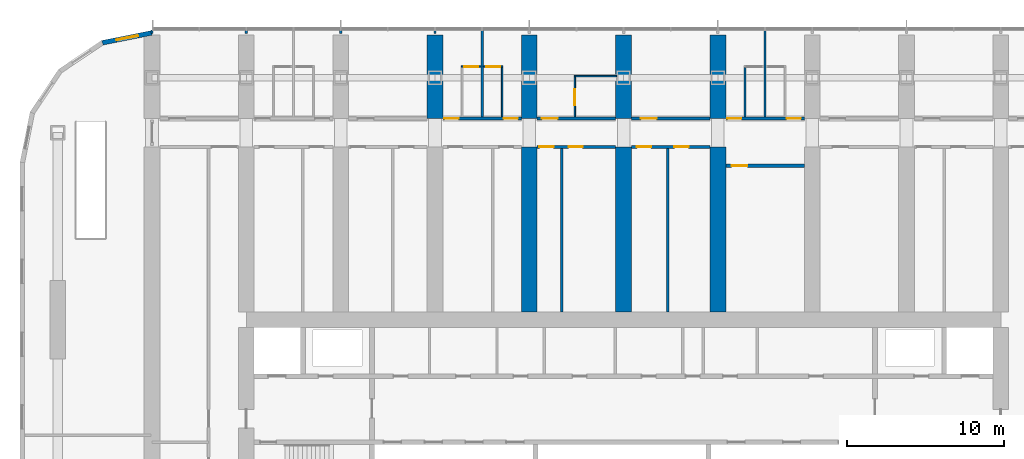
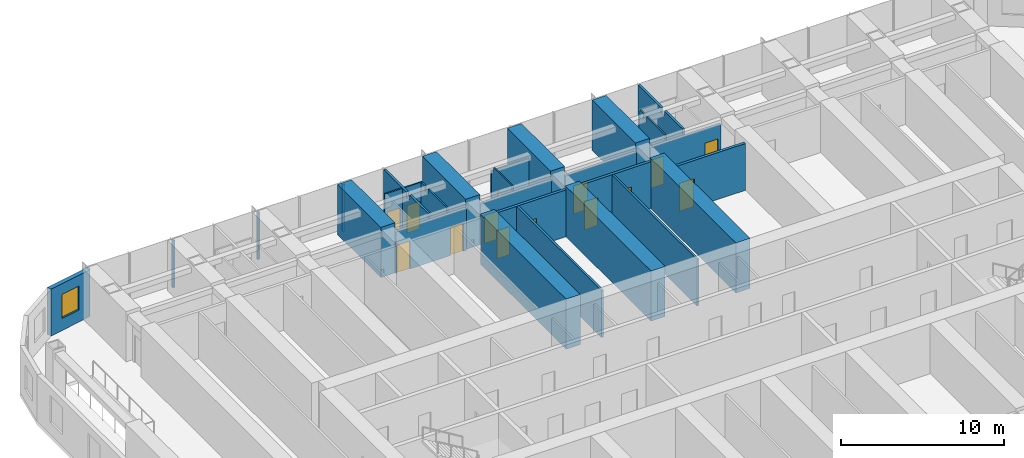
# One storey, part 15 of 22: 29 walls, 14 doors, 1 window, 15 openings.
"""IFC4 building model written with IfcOpenShell, lengths in metres."""

from ifc_helpers import new_model, si_unit, direction, frame, frame_2d, origin, place, context, subcontext, project, spatial, polyline, rectangle, outline, extrude, material, layer, layer_set, type_object, element, fill, save


model = new_model("IFC4")

# Units and contexts
model_context = context("Model", 3, precision=1e-05, world=origin(), true_north=direction((0.0, 1.0)))
body_context = subcontext(model_context, "Body", "Model", "MODEL_VIEW")
ifc_project = project(units=[si_unit("LENGTHUNIT", "METRE"), si_unit("AREAUNIT", "SQUARE_METRE"), si_unit("VOLUMEUNIT", "CUBIC_METRE"), si_unit("PLANEANGLEUNIT", "RADIAN"), si_unit("MASSUNIT", "GRAM", prefix="KILO")], contexts=[model_context])

# Site, building, storey
site_placement = place(None, origin())
site = spatial("IfcSite", under=ifc_project, at=site_placement, CompositionType="ELEMENT")
building_placement = place(site_placement, origin())
building = spatial("IfcBuilding", under=site, at=building_placement, Name="Orbita Commons", CompositionType="ELEMENT")
storey_placement = place(building_placement, frame((0.0, 0.0, 57.699951171875)))
storey = spatial("IfcBuildingStorey", under=building, at=storey_placement, Name="L14", CompositionType="ELEMENT", Elevation=57.699951171875)

# Wall, openings, doors
ifc_material_1 = material(Name="Concrete blockwork", Category="masonry")
ifc_layer_1 = layer(ifc_material_1, 0.199951171875)
ifc_layer_set_1 = layer_set([ifc_layer_1], Name="Concrete blockwork")
wall_type_1 = type_object("IfcWallType", Name="Corridor wall 200 blockwork", PredefinedType="SOLIDWALL", material=ifc_layer_set_1)
wall_1_placement = place(storey_placement, frame((30.5, 51.0, 0.0), z_axis=(0.0, 0.0, 1.0), x_axis=(1.0, 0.0, 0.0)))
wall_1 = element("IfcWall", 1, at=wall_1_placement, inside=storey, type_object=wall_type_1, Name="Corridor wall 200 blockwork L14", PredefinedType="SOLIDWALL", context=body_context, shape_type="SweptSolid", body=[
    extrude(outline(polyline([(0.0, 0.0), (5.0, 0.0), (5.0, 3.10009765625), (0.0, 3.10009765625), (0.0, 0.0)])), frame((0.0, 0.10009765625, 0.0), z_axis=(0.0, -1.0, 0.0), x_axis=(1.0, 0.0, 0.0)), (0.0, 0.0, 1.0), 0.199951171875),
])
opening_1_placement = place(wall_1_placement, frame((0.10009765625, 0.0, 0.0)))
opening_1 = element("IfcOpeningElement", 2, at=opening_1_placement, cuts=wall_1, Name="Opening D11", PredefinedType="OPENING", context=body_context, shape_type="SweptSolid", body=[
    extrude(rectangle(XDim=0.89990234375, YDim=2.10009765625, at=frame_2d((0.449951171875, 1.050048828125))), frame((0.0, 0.10986328125, 0.0), z_axis=(0.0, -1.0, 0.0), x_axis=(1.0, 0.0, 0.0)), (0.0, 0.0, 1.0), 0.219970703125),
])
opening_2_placement = place(wall_1_placement, frame((3.875, 0.0, 0.0)))
opening_2 = element("IfcOpeningElement", 3, at=opening_2_placement, cuts=wall_1, Name="Opening D11", PredefinedType="OPENING", context=body_context, shape_type="SweptSolid", body=[
    extrude(rectangle(XDim=0.89990234375, YDim=2.10009765625, at=frame_2d((0.449951171875, 1.050048828125))), frame((0.0, 0.10986328125, 0.0), z_axis=(0.0, -1.0, 0.0), x_axis=(1.0, 0.0, 0.0)), (0.0, 0.0, 1.0), 0.219970703125),
])
ifc_material_2 = material(Name="Steel-faced fire door leaf", Category="steel")
door_type_1 = type_object("IfcDoorType", Name="Corridor door 20 min 900x2100", OperationType="SINGLE_SWING_LEFT", PredefinedType="DOOR", material=ifc_material_2)
door_1_placement = place(opening_1_placement, origin())
door_1 = element("IfcDoor", 4, at=door_1_placement, inside=storey, type_object=door_type_1, Name="House bedroom L14-N06 door", OperationType="SINGLE_SWING_LEFT", OverallHeight=2.10009765625, OverallWidth=0.89990234375, PredefinedType="DOOR", context=body_context, shape_type="SweptSolid", body=[
    extrude(rectangle(XDim=0.89990234375, YDim=2.10009765625, at=frame_2d((0.449951171875, 1.050048828125))), frame((0.0, 0.02490234375, 0.0), z_axis=(0.0, -1.0, 0.0), x_axis=(1.0, 0.0, 0.0)), (0.0, 0.0, 1.0), 0.050048828125),
])
fill(opening_1, door_1)
door_2_placement = place(opening_2_placement, origin())
door_2 = element("IfcDoor", 5, at=door_2_placement, inside=storey, type_object=door_type_1, Name="House bedroom L14-N07 door", OperationType="SINGLE_SWING_LEFT", OverallHeight=2.10009765625, OverallWidth=0.89990234375, PredefinedType="DOOR", context=body_context, shape_type="SweptSolid", body=[
    extrude(rectangle(XDim=0.89990234375, YDim=2.10009765625, at=frame_2d((0.449951171875, 1.050048828125))), frame((0.0, 0.02490234375, 0.0), z_axis=(0.0, -1.0, 0.0), x_axis=(1.0, 0.0, 0.0)), (0.0, 0.0, 1.0), 0.050048828125),
])
fill(opening_2, door_2)

# Wall, opening, door
wall_2_placement = place(storey_placement, frame((36.5, 51.0, 0.0), z_axis=(0.0, 0.0, 1.0), x_axis=(1.0, 0.0, 0.0)))
wall_2 = element("IfcWall", 6, at=wall_2_placement, inside=storey, type_object=wall_type_1, Name="Corridor wall 200 blockwork L14", PredefinedType="SOLIDWALL", context=body_context, shape_type="SweptSolid", body=[
    extrude(outline(polyline([(0.0, 0.0), (5.0, 0.0), (5.0, 3.10009765625), (0.0, 3.10009765625), (0.0, 0.0)])), frame((0.0, 0.10009765625, 0.0), z_axis=(0.0, -1.0, 0.0), x_axis=(1.0, 0.0, 0.0)), (0.0, 0.0, 1.0), 0.199951171875),
])
opening_3_placement = place(wall_2_placement, frame((0.300048828125, 0.0, 0.0)))
opening_3 = element("IfcOpeningElement", 7, at=opening_3_placement, cuts=wall_2, Name="Opening D06", PredefinedType="OPENING", context=body_context, shape_type="SweptSolid", body=[
    extrude(rectangle(XDim=1.0, YDim=2.10009765625, at=frame_2d((0.5, 1.050048828125))), frame((0.0, 0.10986328125, 0.0), z_axis=(0.0, -1.0, 0.0), x_axis=(1.0, 0.0, 0.0)), (0.0, 0.0, 1.0), 0.219970703125),
])
ifc_material_3 = material(Name="Steel-faced fire door leaf", Category="steel")
door_type_2 = type_object("IfcDoorType", Name="Corridor door 20 min 1000x2100", OperationType="SINGLE_SWING_LEFT", PredefinedType="DOOR", material=ifc_material_3)
door_3_placement = place(opening_3_placement, origin())
door_3 = element("IfcDoor", 8, at=door_3_placement, inside=storey, type_object=door_type_2, Name="Accessible bedroom L14-N08 door", OperationType="SINGLE_SWING_LEFT", OverallHeight=2.10009765625, OverallWidth=1.0, PredefinedType="DOOR", context=body_context, shape_type="SweptSolid", body=[
    extrude(rectangle(XDim=1.0, YDim=2.10009765625, at=frame_2d((0.5, 1.050048828125))), frame((0.0, 0.02490234375, 0.0), z_axis=(0.0, -1.0, 0.0), x_axis=(1.0, 0.0, 0.0)), (0.0, 0.0, 1.0), 0.050048828125),
])
fill(opening_3, door_3)

wall_3_placement = place(storey_placement, frame((42.5, 51.0, 0.0), z_axis=(0.0, 0.0, 1.0), x_axis=(1.0, 0.0, 0.0)))
wall_3 = element("IfcWall", 9, at=wall_3_placement, inside=storey, type_object=wall_type_1, Name="Corridor wall 200 blockwork L14", PredefinedType="SOLIDWALL", context=body_context, shape_type="SweptSolid", body=[
    extrude(outline(polyline([(0.0, 0.0), (5.0, 0.0), (5.0, 3.10009765625), (0.0, 3.10009765625), (0.0, 0.0)])), frame((0.0, 0.10009765625, 0.0), z_axis=(0.0, -1.0, 0.0), x_axis=(1.0, 0.0, 0.0)), (0.0, 0.0, 1.0), 0.199951171875),
])
opening_4_placement = place(wall_3_placement, frame((0.60009765625, 0.0, 0.0)))
opening_4 = element("IfcOpeningElement", 10, at=opening_4_placement, cuts=wall_3, Name="Opening D06", PredefinedType="OPENING", context=body_context, shape_type="SweptSolid", body=[
    extrude(rectangle(XDim=1.0, YDim=2.10009765625, at=frame_2d((0.5, 1.050048828125))), frame((0.0, 0.10986328125, 0.0), z_axis=(0.0, -1.0, 0.0), x_axis=(1.0, 0.0, 0.0)), (0.0, 0.0, 1.0), 0.219970703125),
])
door_4_placement = place(opening_4_placement, origin())
door_4 = element("IfcDoor", 11, at=door_4_placement, inside=storey, type_object=door_type_2, Name="House common room L14-N10 door", OperationType="SINGLE_SWING_LEFT", OverallHeight=2.10009765625, OverallWidth=1.0, PredefinedType="DOOR", context=body_context, shape_type="SweptSolid", body=[
    extrude(rectangle(XDim=1.0, YDim=2.10009765625, at=frame_2d((0.5, 1.050048828125))), frame((0.0, 0.02490234375, 0.0), z_axis=(0.0, -1.0, 0.0), x_axis=(1.0, 0.0, 0.0)), (0.0, 0.0, 1.0), 0.050048828125),
])
fill(opening_4, door_4)

# Wall, openings, doors
wall_4_placement = place(storey_placement, frame((48.5, 51.0, 0.0), z_axis=(0.0, 0.0, 1.0), x_axis=(1.0, 0.0, 0.0)))
wall_4 = element("IfcWall", 12, at=wall_4_placement, inside=storey, type_object=wall_type_1, Name="Corridor wall 200 blockwork L14", PredefinedType="SOLIDWALL", context=body_context, shape_type="SweptSolid", body=[
    extrude(outline(polyline([(0.0, 0.0), (5.0, 0.0), (5.0, 3.10009765625), (0.0, 3.10009765625), (0.0, 0.0)])), frame((0.0, 0.10009765625, 0.0), z_axis=(0.0, -1.0, 0.0), x_axis=(1.0, 0.0, 0.0)), (0.0, 0.0, 1.0), 0.199951171875),
])
opening_5_placement = place(wall_4_placement, frame((0.10009765625, 0.0, 0.0)))
opening_5 = element("IfcOpeningElement", 13, at=opening_5_placement, cuts=wall_4, Name="Opening D11", PredefinedType="OPENING", context=body_context, shape_type="SweptSolid", body=[
    extrude(rectangle(XDim=0.89990234375, YDim=2.10009765625, at=frame_2d((0.449951171875, 1.050048828125))), frame((0.0, 0.10986328125, 0.0), z_axis=(0.0, -1.0, 0.0), x_axis=(1.0, 0.0, 0.0)), (0.0, 0.0, 1.0), 0.219970703125),
])
opening_6_placement = place(wall_4_placement, frame((3.875, 0.0, 0.0)))
opening_6 = element("IfcOpeningElement", 14, at=opening_6_placement, cuts=wall_4, Name="Opening D11", PredefinedType="OPENING", context=body_context, shape_type="SweptSolid", body=[
    extrude(rectangle(XDim=0.89990234375, YDim=2.10009765625, at=frame_2d((0.449951171875, 1.050048828125))), frame((0.0, 0.10986328125, 0.0), z_axis=(0.0, -1.0, 0.0), x_axis=(1.0, 0.0, 0.0)), (0.0, 0.0, 1.0), 0.219970703125),
])
door_5_placement = place(opening_5_placement, origin())
door_5 = element("IfcDoor", 15, at=door_5_placement, inside=storey, type_object=door_type_1, Name="House bedroom L14-N12 door", OperationType="SINGLE_SWING_LEFT", OverallHeight=2.10009765625, OverallWidth=0.89990234375, PredefinedType="DOOR", context=body_context, shape_type="SweptSolid", body=[
    extrude(rectangle(XDim=0.89990234375, YDim=2.10009765625, at=frame_2d((0.449951171875, 1.050048828125))), frame((0.0, 0.02490234375, 0.0), z_axis=(0.0, -1.0, 0.0), x_axis=(1.0, 0.0, 0.0)), (0.0, 0.0, 1.0), 0.050048828125),
])
fill(opening_5, door_5)
door_6_placement = place(opening_6_placement, origin())
door_6 = element("IfcDoor", 16, at=door_6_placement, inside=storey, type_object=door_type_1, Name="House bedroom L14-N13 door", OperationType="SINGLE_SWING_LEFT", OverallHeight=2.10009765625, OverallWidth=0.89990234375, PredefinedType="DOOR", context=body_context, shape_type="SweptSolid", body=[
    extrude(rectangle(XDim=0.89990234375, YDim=2.10009765625, at=frame_2d((0.449951171875, 1.050048828125))), frame((0.0, 0.02490234375, 0.0), z_axis=(0.0, -1.0, 0.0), x_axis=(1.0, 0.0, 0.0)), (0.0, 0.0, 1.0), 0.050048828125),
])
fill(opening_6, door_6)

ifc_material_4 = material(Name="Hollow concrete block 200", Category="concrete")
ifc_layer_2 = layer(ifc_material_4, 0.199951171875)
ifc_layer_set_2 = layer_set([ifc_layer_2], Name="Hollow concrete block 200")
wall_type_2 = type_object("IfcWallType", Name="Corridor wall 200 hollow concrete block", PredefinedType="SOLIDWALL", material=ifc_layer_set_2)
wall_5_placement = place(storey_placement, frame((36.5, 49.199951171875, 0.0), z_axis=(0.0, 0.0, 1.0), x_axis=(1.0, 0.0, 0.0)))
wall_5 = element("IfcWall", 17, at=wall_5_placement, inside=storey, type_object=wall_type_2, Name="Corridor wall 200 hollow concrete block L14", PredefinedType="SOLIDWALL", context=body_context, shape_type="SweptSolid", body=[
    extrude(rectangle(XDim=5.0, YDim=0.199951171875, at=frame_2d((2.5, 0.0))), origin(), (0.0, 0.0, 1.0), 3.5),
])
opening_7_placement = place(wall_5_placement, frame((0.14990234375, 0.0, 0.0)))
opening_7 = element("IfcOpeningElement", 18, at=opening_7_placement, cuts=wall_5, Name="Opening D11", PredefinedType="OPENING", context=body_context, shape_type="SweptSolid", body=[
    extrude(rectangle(XDim=0.89990234375, YDim=2.10009765625, at=frame_2d((0.449951171875, 1.050048828125))), frame((0.0, 0.10986328125, 0.0), z_axis=(0.0, -1.0, 0.0), x_axis=(1.0, 0.0, 0.0)), (0.0, 0.0, 1.0), 0.219970703125),
])
opening_8_placement = place(wall_5_placement, frame((2.0, 0.0, 0.0)))
opening_8 = element("IfcOpeningElement", 19, at=opening_8_placement, cuts=wall_5, Name="Opening D11", PredefinedType="OPENING", context=body_context, shape_type="SweptSolid", body=[
    extrude(rectangle(XDim=0.89990234375, YDim=2.10009765625, at=frame_2d((0.449951171875, 1.050048828125))), frame((0.0, 0.10986328125, 0.0), z_axis=(0.0, -1.0, 0.0), x_axis=(1.0, 0.0, 0.0)), (0.0, 0.0, 1.0), 0.219970703125),
])
door_7_placement = place(opening_7_placement, origin())
door_7 = element("IfcDoor", 20, at=door_7_placement, inside=storey, type_object=door_type_1, Name="Sprinkler valve room L14-BDN36n door", OperationType="SINGLE_SWING_LEFT", OverallHeight=2.10009765625, OverallWidth=0.89990234375, PredefinedType="DOOR", context=body_context, shape_type="SweptSolid", body=[
    extrude(rectangle(XDim=0.89990234375, YDim=2.10009765625, at=frame_2d((0.449951171875, 1.050048828125))), frame((0.0, 0.02490234375, 0.0), z_axis=(0.0, -1.0, 0.0), x_axis=(1.0, 0.0, 0.0)), (0.0, 0.0, 1.0), 0.050048828125),
])
fill(opening_7, door_7)
door_8_placement = place(opening_8_placement, origin())
door_8 = element("IfcDoor", 21, at=door_8_placement, inside=storey, type_object=door_type_1, Name="Drying room L14-BDN36 door", OperationType="SINGLE_SWING_LEFT", OverallHeight=2.10009765625, OverallWidth=0.89990234375, PredefinedType="DOOR", context=body_context, shape_type="SweptSolid", body=[
    extrude(rectangle(XDim=0.89990234375, YDim=2.10009765625, at=frame_2d((0.449951171875, 1.050048828125))), frame((0.0, 0.02490234375, 0.0), z_axis=(0.0, -1.0, 0.0), x_axis=(1.0, 0.0, 0.0)), (0.0, 0.0, 1.0), 0.050048828125),
])
fill(opening_8, door_8)

wall_6_placement = place(storey_placement, frame((42.5, 49.199951171875, 0.0), z_axis=(0.0, 0.0, 1.0), x_axis=(1.0, 0.0, 0.0)))
wall_6 = element("IfcWall", 22, at=wall_6_placement, inside=storey, type_object=wall_type_2, Name="Corridor wall 200 hollow concrete block L14", PredefinedType="SOLIDWALL", context=body_context, shape_type="SweptSolid", body=[
    extrude(rectangle(XDim=5.0, YDim=0.199951171875, at=frame_2d((2.5, 0.0))), origin(), (0.0, 0.0, 1.0), 3.5),
])
opening_9_placement = place(wall_6_placement, frame((0.35009765625, 0.0, 0.0)))
opening_9 = element("IfcOpeningElement", 23, at=opening_9_placement, cuts=wall_6, Name="Opening D11", PredefinedType="OPENING", context=body_context, shape_type="SweptSolid", body=[
    extrude(rectangle(XDim=0.89990234375, YDim=2.10009765625, at=frame_2d((0.449951171875, 1.050048828125))), frame((0.0, 0.10986328125, 0.0), z_axis=(0.0, -1.0, 0.0), x_axis=(1.0, 0.0, 0.0)), (0.0, 0.0, 1.0), 0.219970703125),
])
opening_10_placement = place(wall_6_placement, frame((2.735107421875, 0.0, 0.0)))
opening_10 = element("IfcOpeningElement", 24, at=opening_10_placement, cuts=wall_6, Name="Opening D11", PredefinedType="OPENING", context=body_context, shape_type="SweptSolid", body=[
    extrude(rectangle(XDim=0.89990234375, YDim=2.10009765625, at=frame_2d((0.449951171875, 1.050048828125))), frame((0.0, 0.10986328125, 0.0), z_axis=(0.0, -1.0, 0.0), x_axis=(1.0, 0.0, 0.0)), (0.0, 0.0, 1.0), 0.219970703125),
])
door_9_placement = place(opening_9_placement, origin())
door_9 = element("IfcDoor", 25, at=door_9_placement, inside=storey, type_object=door_type_1, Name="Battery and UPS room L14-BDN42n door", OperationType="SINGLE_SWING_LEFT", OverallHeight=2.10009765625, OverallWidth=0.89990234375, PredefinedType="DOOR", context=body_context, shape_type="SweptSolid", body=[
    extrude(rectangle(XDim=0.89990234375, YDim=2.10009765625, at=frame_2d((0.449951171875, 1.050048828125))), frame((0.0, 0.02490234375, 0.0), z_axis=(0.0, -1.0, 0.0), x_axis=(1.0, 0.0, 0.0)), (0.0, 0.0, 1.0), 0.050048828125),
])
fill(opening_9, door_9)
door_10_placement = place(opening_10_placement, origin())
door_10 = element("IfcDoor", 26, at=door_10_placement, inside=storey, type_object=door_type_1, Name="Ventilation plant room north L14-BDN42 door", OperationType="SINGLE_SWING_LEFT", OverallHeight=2.10009765625, OverallWidth=0.89990234375, PredefinedType="DOOR", context=body_context, shape_type="SweptSolid", body=[
    extrude(rectangle(XDim=0.89990234375, YDim=2.10009765625, at=frame_2d((0.449951171875, 1.050048828125))), frame((0.0, 0.02490234375, 0.0), z_axis=(0.0, -1.0, 0.0), x_axis=(1.0, 0.0, 0.0)), (0.0, 0.0, 1.0), 0.050048828125),
])
fill(opening_10, door_10)

# Wall, opening, door
wall_7_placement = place(storey_placement, frame((48.5, 48.0, 0.0), z_axis=(0.0, 0.0, 1.0), x_axis=(1.0, 0.0, 0.0)))
wall_7 = element("IfcWall", 27, at=wall_7_placement, inside=storey, type_object=wall_type_2, Name="Corridor wall 200 hollow concrete block L14", PredefinedType="SOLIDWALL", context=body_context, shape_type="SweptSolid", body=[
    extrude(rectangle(XDim=5.0, YDim=0.199951171875, at=frame_2d((2.5, 0.0))), origin(), (0.0, 0.0, 1.0), 3.5),
])
opening_11_placement = place(wall_7_placement, frame((0.375, 0.0, 0.0)))
opening_11 = element("IfcOpeningElement", 28, at=opening_11_placement, cuts=wall_7, Name="Opening D06", PredefinedType="OPENING", context=body_context, shape_type="SweptSolid", body=[
    extrude(rectangle(XDim=1.0, YDim=2.10009765625, at=frame_2d((0.5, 1.050048828125))), frame((0.0, 0.10986328125, 0.0), z_axis=(0.0, -1.0, 0.0), x_axis=(1.0, 0.0, 0.0)), (0.0, 0.0, 1.0), 0.219970703125),
])
door_11_placement = place(opening_11_placement, origin())
door_11 = element("IfcDoor", 29, at=door_11_placement, inside=storey, type_object=door_type_2, Name="Ventilation plant room south L14-BDN48 door", OperationType="SINGLE_SWING_LEFT", OverallHeight=2.10009765625, OverallWidth=1.0, PredefinedType="DOOR", context=body_context, shape_type="SweptSolid", body=[
    extrude(rectangle(XDim=1.0, YDim=2.10009765625, at=frame_2d((0.5, 1.050048828125))), frame((0.0, 0.02490234375, 0.0), z_axis=(0.0, -1.0, 0.0), x_axis=(1.0, 0.0, 0.0)), (0.0, 0.0, 1.0), 0.050048828125),
])
fill(opening_11, door_11)

# Walls
ifc_material_5 = material(Name="Concrete C50/60", Category="concrete")
ifc_layer_3 = layer(ifc_material_5, 1.0)
ifc_layer_set_3 = layer_set([ifc_layer_3], Name="Concrete C50/60")
wall_type_3 = type_object("IfcWallType", Name="Cross wall 1000 C50/60", PredefinedType="SHEAR", material=ifc_layer_set_3)
for number, where, z_axis, x_axis, name in (
    (30, (30.0, 51.0, 0.0), (0.0, 0.0, 1.0), (0.0, 1.0, 0.0), "Cross wall 6 north outer L14"),
    (31, (36.0, 51.0, 0.0), (0.0, 0.0, 1.0), (0.0, 1.0, 0.0), "Cross wall 7 north outer L14"),
):
    element("IfcWall", number, at=place(storey_placement, frame(where, z_axis=z_axis, x_axis=x_axis)), inside=storey, type_object=wall_type_3, Name=name, PredefinedType="SHEAR", context=body_context, shape_type="SweptSolid", body=[
        extrude(rectangle(XDim=5.300048828125, YDim=1.0, at=frame_2d((2.64990234375, 0.0))), origin(), (0.0, 0.0, 1.0), 3.75),
    ])
wall_8_placement = place(storey_placement, frame((36.0, 38.699951171875, 0.0), z_axis=(0.0, 0.0, 1.0), x_axis=(0.0, 1.0, 0.0)))
element("IfcWall", 32, at=wall_8_placement, inside=storey, type_object=wall_type_3, Name="Cross wall 7 north inner L14", PredefinedType="SHEAR", context=body_context, shape_type="SweptSolid", body=[
    extrude(rectangle(XDim=10.5, YDim=1.0, at=frame_2d((5.25, 0.0))), origin(), (0.0, 0.0, 1.0), 3.75),
])
wall_9_placement = place(storey_placement, frame((42.0, 51.0, 0.0), z_axis=(0.0, 0.0, 1.0), x_axis=(0.0, 1.0, 0.0)))
element("IfcWall", 33, at=wall_9_placement, inside=storey, type_object=wall_type_3, Name="Cross wall 8 north outer L14", PredefinedType="SHEAR", context=body_context, shape_type="SweptSolid", body=[
    extrude(rectangle(XDim=5.300048828125, YDim=1.0, at=frame_2d((2.64990234375, 0.0))), origin(), (0.0, 0.0, 1.0), 3.75),
])
wall_10_placement = place(storey_placement, frame((42.0, 38.699951171875, 0.0), z_axis=(0.0, 0.0, 1.0), x_axis=(0.0, 1.0, 0.0)))
element("IfcWall", 34, at=wall_10_placement, inside=storey, type_object=wall_type_3, Name="Cross wall 8 north inner L14", PredefinedType="SHEAR", context=body_context, shape_type="SweptSolid", body=[
    extrude(rectangle(XDim=10.5, YDim=1.0, at=frame_2d((5.25, 0.0))), origin(), (0.0, 0.0, 1.0), 3.75),
])
wall_11_placement = place(storey_placement, frame((48.0, 51.0, 0.0), z_axis=(0.0, 0.0, 1.0), x_axis=(0.0, 1.0, 0.0)))
element("IfcWall", 35, at=wall_11_placement, inside=storey, type_object=wall_type_3, Name="Cross wall 9 north outer L14", PredefinedType="SHEAR", context=body_context, shape_type="SweptSolid", body=[
    extrude(rectangle(XDim=5.300048828125, YDim=1.0, at=frame_2d((2.64990234375, 0.0))), origin(), (0.0, 0.0, 1.0), 3.75),
])
wall_12_placement = place(storey_placement, frame((48.0, 38.699951171875, 0.0), z_axis=(0.0, 0.0, 1.0), x_axis=(0.0, 1.0, 0.0)))
element("IfcWall", 36, at=wall_12_placement, inside=storey, type_object=wall_type_3, Name="Cross wall 9 north inner L14", PredefinedType="SHEAR", context=body_context, shape_type="SweptSolid", body=[
    extrude(rectangle(XDim=10.5, YDim=1.0, at=frame_2d((5.25, 0.0))), origin(), (0.0, 0.0, 1.0), 3.75),
])

# Wall, opening, door
ifc_material_6 = material(Name="Moisture-resistant plasterboard on steel studs", Category="steel")
ifc_layer_4 = layer(ifc_material_6, 0.10009765625)
ifc_layer_set_4 = layer_set([ifc_layer_4], Name="Moisture-resistant plasterboard on steel studs")
wall_type_4 = type_object("IfcWallType", Name="En-suite partition 100", PredefinedType="PARTITIONING", material=ifc_layer_set_4)
wall_13_placement = place(storey_placement, frame((31.675048828125, 54.300048828125, 0.0), z_axis=(0.0, 0.0, 1.0), x_axis=(1.0, 0.0, 0.0)))
wall_13 = element("IfcWall", 37, at=wall_13_placement, inside=storey, type_object=wall_type_4, Name="En-suite partition 100 L14", PredefinedType="PARTITIONING", context=body_context, shape_type="SweptSolid", body=[
    extrude(rectangle(XDim=1.25, YDim=0.10009765625, at=frame_2d((0.625, 0.0))), origin(), (0.0, 0.0, 1.0), 3.5),
])
opening_12_placement = place(wall_13_placement, frame((0.175048828125, 0.0, 0.0)))
opening_12 = element("IfcOpeningElement", 38, at=opening_12_placement, cuts=wall_13, Name="Opening D09", PredefinedType="OPENING", context=body_context, shape_type="SweptSolid", body=[
    extrude(rectangle(XDim=0.89990234375, YDim=2.10009765625, at=frame_2d((0.449951171875, 1.050048828125))), frame((0.0, 0.06005859375, 0.0), z_axis=(0.0, -1.0, 0.0), x_axis=(1.0, 0.0, 0.0)), (0.0, 0.0, 1.0), 0.1201171875),
])
ifc_material_7 = material(Name="Laminated timber door leaf", Category="wood")
door_type_3 = type_object("IfcDoorType", Name="En-suite door 900x2100", OperationType="SINGLE_SWING_RIGHT", PredefinedType="DOOR", material=ifc_material_7)
door_12_placement = place(opening_12_placement, origin())
door_12 = element("IfcDoor", 39, at=door_12_placement, inside=storey, type_object=door_type_3, Name="En-suite L14-N06 door", OperationType="SINGLE_SWING_RIGHT", OverallHeight=2.10009765625, OverallWidth=0.89990234375, PredefinedType="DOOR", context=body_context, shape_type="SweptSolid", body=[
    extrude(rectangle(XDim=0.89990234375, YDim=2.10009765625, at=frame_2d((0.449951171875, 1.050048828125))), frame((0.0, 0.02490234375, 0.0), z_axis=(0.0, -1.0, 0.0), x_axis=(1.0, 0.0, 0.0)), (0.0, 0.0, 1.0), 0.050048828125),
])
fill(opening_12, door_12)

wall_14_placement = place(storey_placement, frame((33.074951171875, 54.300048828125, 0.0), z_axis=(0.0, 0.0, 1.0), x_axis=(1.0, 0.0, 0.0)))
wall_14 = element("IfcWall", 40, at=wall_14_placement, inside=storey, type_object=wall_type_4, Name="En-suite partition 100 L14", PredefinedType="PARTITIONING", context=body_context, shape_type="SweptSolid", body=[
    extrude(rectangle(XDim=1.25, YDim=0.10009765625, at=frame_2d((0.625, 0.0))), origin(), (0.0, 0.0, 1.0), 3.5),
])
opening_13_placement = place(wall_14_placement, frame((0.175048828125, 0.0, 0.0)))
opening_13 = element("IfcOpeningElement", 41, at=opening_13_placement, cuts=wall_14, Name="Opening D09", PredefinedType="OPENING", context=body_context, shape_type="SweptSolid", body=[
    extrude(rectangle(XDim=0.89990234375, YDim=2.10009765625, at=frame_2d((0.449951171875, 1.050048828125))), frame((0.0, 0.06005859375, 0.0), z_axis=(0.0, -1.0, 0.0), x_axis=(1.0, 0.0, 0.0)), (0.0, 0.0, 1.0), 0.1201171875),
])
door_13_placement = place(opening_13_placement, origin())
door_13 = element("IfcDoor", 42, at=door_13_placement, inside=storey, type_object=door_type_3, Name="En-suite L14-N07 door", OperationType="SINGLE_SWING_RIGHT", OverallHeight=2.10009765625, OverallWidth=0.89990234375, PredefinedType="DOOR", context=body_context, shape_type="SweptSolid", body=[
    extrude(rectangle(XDim=0.89990234375, YDim=2.10009765625, at=frame_2d((0.449951171875, 1.050048828125))), frame((0.0, 0.02490234375, 0.0), z_axis=(0.0, -1.0, 0.0), x_axis=(1.0, 0.0, 0.0)), (0.0, 0.0, 1.0), 0.050048828125),
])
fill(opening_13, door_13)

# Walls
wall_15_placement = place(storey_placement, frame((34.27490234375, 54.25, 0.0), z_axis=(0.0, 0.0, 1.0), x_axis=(0.0, -1.0, 0.0)))
element("IfcWall", 43, at=wall_15_placement, inside=storey, type_object=wall_type_4, Name="En-suite partition 100 L14", PredefinedType="PARTITIONING", context=body_context, shape_type="SweptSolid", body=[
    extrude(outline(polyline([(0.0, 0.0), (3.14990234375, 0.0), (3.14990234375, 3.10009765625), (3.10205078125, 3.10009765625), (3.10009765625, 3.5), (0.85205078125, 3.5), (0.85009765625, 3.10009765625), (0.451904296875, 3.10009765625), (0.449951171875, 3.5), (0.0, 3.5), (0.0, 0.0)])), frame((0.0, 0.050048828125, 0.0), z_axis=(0.0, -1.0, 0.0), x_axis=(1.0, 0.0, 0.0)), (0.0, 0.0, 1.0), 0.10009765625),
])
wall_16_placement = place(storey_placement, frame((38.85009765625, 53.699951171875, 0.0), z_axis=(0.0, 0.0, 1.0), x_axis=(1.0, 0.0, 0.0)))
element("IfcWall", 44, at=wall_16_placement, inside=storey, type_object=wall_type_4, Name="En-suite partition 100 L14", PredefinedType="PARTITIONING", context=body_context, shape_type="SweptSolid", body=[
    extrude(outline(polyline([(0.0, 0.0), (2.699951171875, 0.0), (2.699951171875, 3.10009765625), (0.0, 3.10009765625), (0.0, 0.0)])), frame((0.0, 0.050048828125, 0.0), z_axis=(0.0, -1.0, 0.0), x_axis=(1.0, 0.0, 0.0)), (0.0, 0.0, 1.0), 0.10009765625),
])

# Wall, opening, door
wall_17_placement = place(storey_placement, frame((38.89990234375, 53.64990234375, 0.0), z_axis=(0.0, 0.0, 1.0), x_axis=(0.0, -1.0, 0.0)))
wall_17 = element("IfcWall", 45, at=wall_17_placement, inside=storey, type_object=wall_type_4, Name="En-suite partition 100 L14", PredefinedType="PARTITIONING", context=body_context, shape_type="SweptSolid", body=[
    extrude(outline(polyline([(0.0, 0.0), (2.5498046875, 0.0), (2.550048828125, 3.10009765625), (2.501953125, 3.10009765625), (2.5, 3.5), (0.251953125, 3.5), (0.25, 3.10009765625), (0.0, 3.10009765625), (0.0, 0.0)])), frame((0.0, 0.050048828125, 0.0), z_axis=(0.0, -1.0, 0.0), x_axis=(1.0, 0.0, 0.0)), (0.0, 0.0, 1.0), 0.10009765625),
])
opening_14_placement = place(wall_17_placement, frame((0.800048828125, 0.0, 0.0)))
opening_14 = element("IfcOpeningElement", 46, at=opening_14_placement, cuts=wall_17, Name="Opening D13", PredefinedType="OPENING", context=body_context, shape_type="SweptSolid", body=[
    extrude(rectangle(XDim=1.0, YDim=2.10009765625, at=frame_2d((0.5, 1.050048828125))), frame((0.0, 0.06005859375, 0.0), z_axis=(0.0, -1.0, 0.0), x_axis=(1.0, 0.0, 0.0)), (0.0, 0.0, 1.0), 0.1201171875),
])
ifc_material_8 = material(Name="Laminated timber door leaf", Category="wood")
door_type_4 = type_object("IfcDoorType", Name="En-suite door 1000x2100", OperationType="SINGLE_SWING_RIGHT", PredefinedType="DOOR", material=ifc_material_8)
door_14_placement = place(opening_14_placement, origin())
door_14 = element("IfcDoor", 47, at=door_14_placement, inside=storey, type_object=door_type_4, Name="Accessible shower room L14-N08 door", OperationType="SINGLE_SWING_RIGHT", OverallHeight=2.10009765625, OverallWidth=1.0, PredefinedType="DOOR", context=body_context, shape_type="SweptSolid", body=[
    extrude(rectangle(XDim=1.0, YDim=2.10009765625, at=frame_2d((0.5, 1.050048828125))), frame((0.0, 0.02490234375, 0.0), z_axis=(0.0, -1.0, 0.0), x_axis=(1.0, 0.0, 0.0)), (0.0, 0.0, 1.0), 0.050048828125),
])
fill(opening_14, door_14)

# Walls
wall_18_placement = place(storey_placement, frame((49.72509765625, 54.25, 0.0), z_axis=(0.0, 0.0, 1.0), x_axis=(0.0, -1.0, 0.0)))
element("IfcWall", 48, at=wall_18_placement, inside=storey, type_object=wall_type_4, Name="En-suite partition 100 L14", PredefinedType="PARTITIONING", context=body_context, shape_type="SweptSolid", body=[
    extrude(outline(polyline([(0.0, 0.0), (3.14990234375, 0.0), (3.14990234375, 3.10009765625), (3.10205078125, 3.10009765625), (3.10009765625, 3.5), (0.85205078125, 3.5), (0.85009765625, 3.10009765625), (0.451904296875, 3.10009765625), (0.449951171875, 3.5), (0.0, 3.5), (0.0, 0.0)])), frame((0.0, 0.050048828125, 0.0), z_axis=(0.0, -1.0, 0.0), x_axis=(1.0, 0.0, 0.0)), (0.0, 0.0, 1.0), 0.10009765625),
])
ifc_material_9 = material(Name="Gypsum plasterboard on steel studs", Category="steel")
ifc_layer_5 = layer(ifc_material_9, 0.14990234375)
ifc_layer_set_5 = layer_set([ifc_layer_5], Name="Gypsum plasterboard on steel studs")
wall_type_5 = type_object("IfcWallType", Name="Partition 150 plasterboard", PredefinedType="PARTITIONING", material=ifc_layer_set_5)
for number, where, z_axis, x_axis, name in (
    (49, (38.074951171875, 38.699951171875, 0.0), (0.0, 0.0, 1.0), (0.0, 1.0, 0.0), "Partition 150 plasterboard L14"),
    (50, (44.81005859375, 38.699951171875, 0.0), (0.0, 0.0, 1.0), (0.0, 1.0, 0.0), "Partition 150 plasterboard L14"),
):
    element("IfcWall", number, at=place(storey_placement, frame(where, z_axis=z_axis, x_axis=x_axis)), inside=storey, type_object=wall_type_5, Name=name, PredefinedType="PARTITIONING", context=body_context, shape_type="SweptSolid", body=[
        extrude(rectangle(XDim=10.400146484375, YDim=0.14990234375, at=frame_2d((5.2001953125, 0.0))), origin(), (0.0, 0.0, 1.0), 3.5),
    ])
wall_19_placement = place(storey_placement, frame((12.0, 56.39990234375, 0.0), z_axis=(0.0, 0.0, 1.0), x_axis=(0.0, 1.0, 0.0)))
element("IfcWall", 51, at=wall_19_placement, inside=storey, type_object=wall_type_5, Name="Partition 150 plasterboard L14", PredefinedType="PARTITIONING", context=body_context, shape_type="SweptSolid", body=[
    extrude(rectangle(XDim=0.22021484375, YDim=0.14990234375, at=frame_2d((0.110107421875, 0.0))), origin(), (0.0, 0.0, 1.0), 3.5),
])
for number, where, z_axis, x_axis, name in (
    (52, (18.0, 56.39990234375, 0.0), (0.0, 0.0, 1.0), (0.0, 1.0, 0.0), "Partition 150 plasterboard L14"),
    (53, (24.0, 56.39990234375, 0.0), (0.0, 0.0, 1.0), (0.0, 1.0, 0.0), "Partition 150 plasterboard L14"),
    (54, (30.0, 56.39990234375, 0.0), (0.0, 0.0, 1.0), (0.0, 1.0, 0.0), "Partition 150 plasterboard L14"),
):
    element("IfcWall", number, at=place(storey_placement, frame(where, z_axis=z_axis, x_axis=x_axis)), inside=storey, type_object=wall_type_5, Name=name, PredefinedType="PARTITIONING", context=body_context, shape_type="SweptSolid", body=[
        extrude(rectangle(XDim=0.190185546875, YDim=0.14990234375, at=frame_2d((0.09521484375, 0.0))), origin(), (0.0, 0.0, 1.0), 3.5),
    ])
ifc_material_10 = material(Name="Gypsum plasterboard on steel studs", Category="steel")
ifc_layer_6 = layer(ifc_material_10, 0.14990234375)
ifc_layer_set_6 = layer_set([ifc_layer_6], Name="Gypsum plasterboard on steel studs")
wall_type_6 = type_object("IfcWallType", Name="Party wall 150 plasterboard", PredefinedType="PARTITIONING", material=ifc_layer_set_6)
for number, where, z_axis, x_axis, name in (
    (55, (33.0, 56.590087890625, 0.0), (0.0, 0.0, 1.0), (0.0, -1.0, 0.0), "Party wall 150 plasterboard L14"),
    (56, (51.0, 56.590087890625, 0.0), (0.0, 0.0, 1.0), (0.0, -1.0, 0.0), "Party wall 150 plasterboard L14"),
):
    element("IfcWall", number, at=place(storey_placement, frame(where, z_axis=z_axis, x_axis=x_axis)), inside=storey, type_object=wall_type_6, Name=name, PredefinedType="PARTITIONING", context=body_context, shape_type="SweptSolid", body=[
        extrude(outline(polyline([(0.0, 0.0), (5.489990234375, 0.0), (5.489990234375, 3.10009765625), (5.44189453125, 3.10009765625), (5.43994140625, 3.5), (3.19189453125, 3.5), (3.18994140625, 3.10009765625), (2.7919921875, 3.10009765625), (2.7900390625, 3.5), (0.0, 3.5), (0.0, 0.0)])), frame((0.0, 0.074951171875, 0.0), z_axis=(0.0, -1.0, 0.0), x_axis=(1.0, 0.0, 0.0)), (0.0, 0.0, 1.0), 0.14990234375),
    ])

# Wall, opening, window
ifc_material_11 = material(Name="Precast concrete C40/50, white board-marked finish", Category="concrete")
ifc_layer_7 = layer(ifc_material_11, 0.300048828125)
ifc_layer_set_7 = layer_set([ifc_layer_7], Name="Precast concrete C40/50, white board-marked finish")
wall_type_7 = type_object("IfcWallType", Name="Precast concrete end shield 300", PredefinedType="SOLIDWALL", material=ifc_layer_set_7)
wall_20_placement = place(storey_placement, frame((12.0, 56.449951171875, 0.0), z_axis=(0.0, 0.0, 1.0), x_axis=(-0.980787251524, -0.195080412259, 0.0)))
wall_20 = element("IfcWall", 57, at=wall_20_placement, inside=storey, type_object=wall_type_7, Name="End shield NW chord 1 L14", PredefinedType="SOLIDWALL", context=body_context, shape_type="SweptSolid", body=[
    extrude(outline(polyline([(-0.02978515625, -0.14990234375), (3.24853515625, -0.14990234375), (3.18896484375, 0.14990234375), (0.02978515625, 0.14990234375), (-0.02978515625, -0.14990234375)])), origin(), (0.0, 0.0, 1.0), 3.5),
])
opening_15_placement = place(wall_20_placement, frame((0.909423828125, 0.0, 0.89990234375)))
opening_15 = element("IfcOpeningElement", 58, at=opening_15_placement, cuts=wall_20, Name="Opening W02", PredefinedType="OPENING", context=body_context, shape_type="SweptSolid", body=[
    extrude(rectangle(XDim=1.39990234375, YDim=1.800048828125, at=frame_2d((0.699951171875, 0.89990234375))), frame((0.0, 0.159912109375, 0.0), z_axis=(0.0, -1.0, 0.0), x_axis=(1.0, 0.0, 0.0)), (0.0, 0.0, 1.0), 0.320068359375),
])
ifc_material_12 = material(Name="Aluminium frame, clear double glazing", Category="aluminium")
window_type = type_object("IfcWindowType", Name="Deep-set window 1400x1800", PartitioningType="SINGLE_PANEL", PredefinedType="WINDOW", material=ifc_material_12)
window_placement = place(opening_15_placement, origin())
window = element("IfcWindow", 59, at=window_placement, inside=storey, type_object=window_type, Name="Window L14-NW0", OverallHeight=1.800048828125, OverallWidth=1.39990234375, PartitioningType="SINGLE_PANEL", PredefinedType="WINDOW", context=body_context, shape_type="SweptSolid", body=[
    extrude(rectangle(XDim=1.39990234375, YDim=1.800048828125, at=frame_2d((0.699951171875, 0.89990234375))), frame((0.0, 0.030029296875, 0.0), z_axis=(0.0, -1.0, 0.0), x_axis=(1.0, 0.0, 0.0)), (0.0, 0.0, 1.0), 0.06005859375),
])
fill(opening_15, window)

save(model, "model.ifc")
